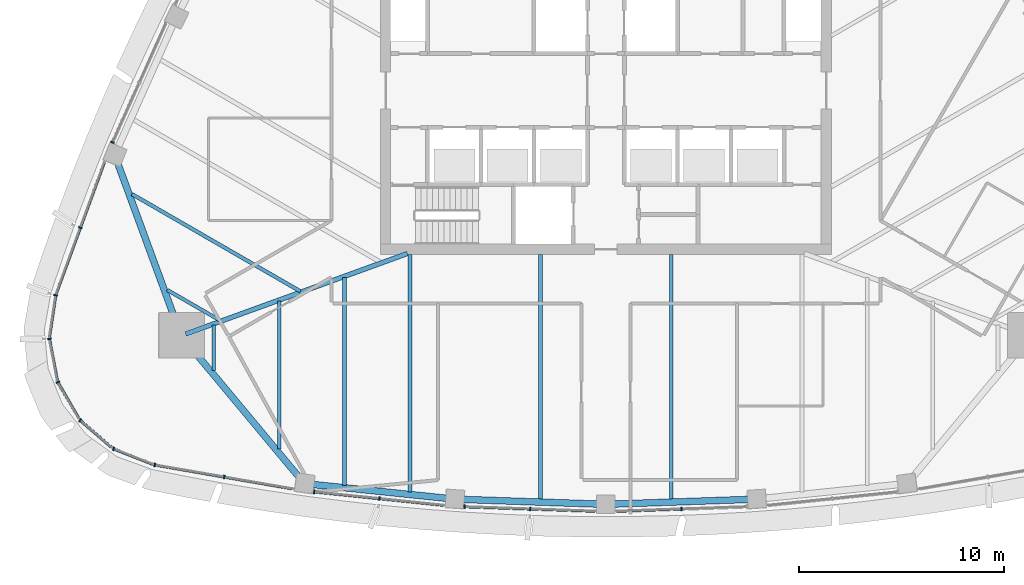
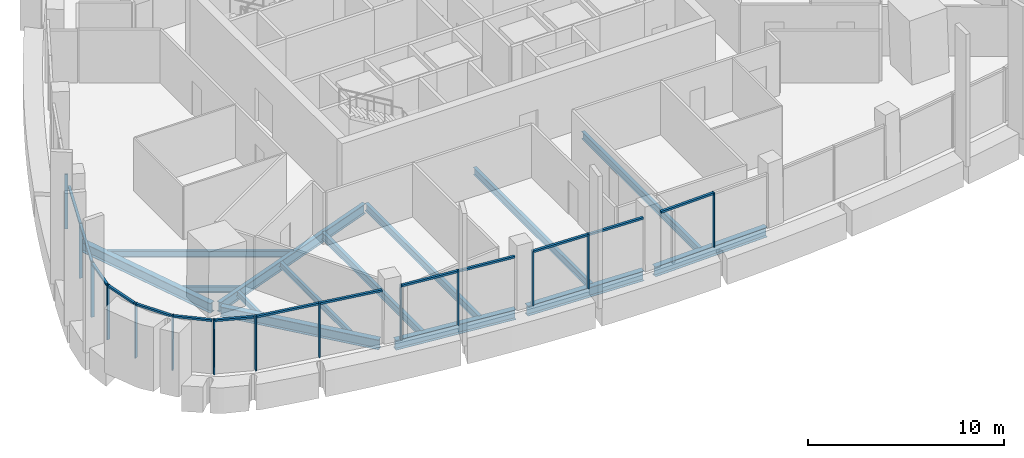
# One storey, part 2 of 18: 28 members, 14 beams, 11 elements without a shape of their own.
"""IFC4 building model written with IfcOpenShell, lengths in metres."""

from ifc_helpers import new_model, si_unit, direction, frame, origin, origin_2d, place, context, subcontext, project, spatial, rectangle, i_section, extrude, material, layer, layer_set, material_profile, profile_set, type_object, element, aggregate, save


model = new_model("IFC4")

# Units and contexts
model_context = context("Model", 3, precision=1e-05, world=origin(), true_north=direction((0.0, 1.0)))
body_context = subcontext(model_context, "Body", "Model", "MODEL_VIEW")
ifc_project = project(units=[si_unit("LENGTHUNIT", "METRE"), si_unit("AREAUNIT", "SQUARE_METRE"), si_unit("VOLUMEUNIT", "CUBIC_METRE"), si_unit("PLANEANGLEUNIT", "RADIAN"), si_unit("MASSUNIT", "GRAM", prefix="KILO")], contexts=[model_context])

# Site, building, storey
site_placement = place(None, origin())
site = spatial("IfcSite", under=ifc_project, at=site_placement, CompositionType="ELEMENT")
building_placement = place(site_placement, origin())
building = spatial("IfcBuilding", under=site, at=building_placement, Name="Sierra Prisma Convention Tower", CompositionType="ELEMENT")
storey_placement = place(building_placement, frame((0.0, 0.0, 287.0)))
storey = spatial("IfcBuildingStorey", under=building, at=storey_placement, Name="L65", CompositionType="ELEMENT", Elevation=287.0)

# Curtain wall, members
ifc_material_1 = material(Name="Aluminium and glass curtain wall", Category="aluminium")
ifc_layer = layer(ifc_material_1, 0.179931640625)
ifc_layer_set = layer_set([ifc_layer], Name="CW-1 Plain shaft curtain wall")
curtain_wall_type = type_object("IfcCurtainWallType", Name="CW-1 Plain shaft curtain wall", PredefinedType="NOTDEFINED", material=ifc_layer_set)
curtain_wall_1_placement = place(storey_placement, origin())
curtain_wall_1 = element("IfcCurtainWall", 1, at=curtain_wall_1_placement, inside=storey, type_object=curtain_wall_type, Name="CW-1 S1 L65", PredefinedType="NOTDEFINED")
ifc_material_2 = material(Name="Aluminium 6063-T6 bronze anodised", Category="aluminium")
ifc_material_profile_1 = material_profile(ifc_material_2, rectangle(XDim=0.179931640625, YDim=0.070068359375, at=origin_2d()), Name="ALU MULLION 70x180")
ifc_profile_set_1 = profile_set([ifc_material_profile_1], Name="Aluminium 6063-T6 bronze anodised")
member_type_1 = type_object("IfcMemberType", Name="CW mullion bronze", PredefinedType="MULLION", material=ifc_profile_set_1)
member_1_placement = place(storey_placement, frame((-22.017333984375, -18.275390625, 0.0), z_axis=(0.0, 0.0, 1.0), x_axis=(0.171115937493, 0.985250899992, 0.0)))
member_1 = element("IfcMember", 2, at=member_1_placement, type_object=member_type_1, Name="CW-1 mullion S1.1", PredefinedType="MULLION", context=body_context, shape_type="SweptSolid", body=[
    extrude(rectangle(XDim=0.179931640625, YDim=0.070068359375, at=origin_2d()), origin(), (0.0, 0.0, 1.0), 3.39990234375),
])
member_2_placement = place(storey_placement, frame((-18.627197265625, -18.8642578125, 0.0), z_axis=(0.0, 0.0, 1.0), x_axis=(0.171115937493, 0.985250899992, 0.0)))
member_2 = element("IfcMember", 3, at=member_2_placement, type_object=member_type_1, Name="CW-1 mullion S1.2", PredefinedType="MULLION", context=body_context, shape_type="SweptSolid", body=[
    extrude(rectangle(XDim=0.179931640625, YDim=0.070068359375, at=origin_2d()), origin(), (0.0, 0.0, 1.0), 3.39990234375),
])

curtain_wall_2_placement = place(storey_placement, origin())
curtain_wall_2 = element("IfcCurtainWall", 4, at=curtain_wall_2_placement, inside=storey, type_object=curtain_wall_type, Name="CW-1 S2 L65", PredefinedType="NOTDEFINED")
member_3_placement = place(storey_placement, frame((-14.2333984375, -19.590576171875, 0.0), z_axis=(0.0, 0.0, 1.0), x_axis=(0.1029943546, 0.994681940582, 0.0)))
member_3 = element("IfcMember", 5, at=member_3_placement, type_object=member_type_1, Name="CW-1 mullion S2.1", PredefinedType="MULLION", context=body_context, shape_type="SweptSolid", body=[
    extrude(rectangle(XDim=0.179931640625, YDim=0.070068359375, at=origin_2d()), origin(), (0.0, 0.0, 1.0), 3.39990234375),
])
member_4_placement = place(storey_placement, frame((-11.056640625, -19.91943359375, 0.0), z_axis=(0.0, 0.0, 1.0), x_axis=(0.1029943546, 0.994681940582, 0.0)))
member_4 = element("IfcMember", 6, at=member_4_placement, type_object=member_type_1, Name="CW-1 mullion S2.2", PredefinedType="MULLION", context=body_context, shape_type="SweptSolid", body=[
    extrude(rectangle(XDim=0.179931640625, YDim=0.070068359375, at=origin_2d()), origin(), (0.0, 0.0, 1.0), 3.39990234375),
])

curtain_wall_3_placement = place(storey_placement, origin())
curtain_wall_3 = element("IfcCurtainWall", 7, at=curtain_wall_3_placement, inside=storey, type_object=curtain_wall_type, Name="CW-1 S3 L65", PredefinedType="NOTDEFINED")
member_5_placement = place(storey_placement, frame((-6.900390625, -20.3154296875, 0.0), z_axis=(0.0, 0.0, 1.0), x_axis=(0.034385660465, 0.999408638323, 0.0)))
member_5 = element("IfcMember", 8, at=member_5_placement, type_object=member_type_1, Name="CW-1 mullion S3.1", PredefinedType="MULLION", context=body_context, shape_type="SweptSolid", body=[
    extrude(rectangle(XDim=0.179931640625, YDim=0.070068359375, at=origin_2d()), origin(), (0.0, 0.0, 1.0), 3.39990234375),
])
member_6_placement = place(storey_placement, frame((-3.692626953125, -20.42578125, 0.0), z_axis=(0.0, 0.0, 1.0), x_axis=(0.034385660465, 0.999408638323, 0.0)))
member_6 = element("IfcMember", 9, at=member_6_placement, type_object=member_type_1, Name="CW-1 mullion S3.2", PredefinedType="MULLION", context=body_context, shape_type="SweptSolid", body=[
    extrude(rectangle(XDim=0.179931640625, YDim=0.070068359375, at=origin_2d()), origin(), (0.0, 0.0, 1.0), 3.39990234375),
])

# Curtain wall, member
curtain_wall_4_placement = place(storey_placement, origin())
curtain_wall_4 = element("IfcCurtainWall", 10, at=curtain_wall_4_placement, inside=storey, type_object=curtain_wall_type, Name="CW-1 S4 L65", PredefinedType="NOTDEFINED")
member_7_placement = place(storey_placement, frame((3.692626953125, -20.42578125, 0.0), z_axis=(0.0, 0.0, 1.0), x_axis=(-0.034385660465, 0.999408638323, 0.0)))
member_7 = element("IfcMember", 11, at=member_7_placement, type_object=member_type_1, Name="CW-1 mullion S4.2", PredefinedType="MULLION", context=body_context, shape_type="SweptSolid", body=[
    extrude(rectangle(XDim=0.179931640625, YDim=0.070068359375, at=origin_2d()), origin(), (0.0, 0.0, 1.0), 3.39990234375),
])

curtain_wall_5_placement = place(storey_placement, origin())
curtain_wall_5 = element("IfcCurtainWall", 12, at=curtain_wall_5_placement, inside=storey, type_object=curtain_wall_type, Name="CW-1 NW5 L65", PredefinedType="NOTDEFINED")
member_8_placement = place(storey_placement, frame((-24.08251953125, -2.53125, 0.0), z_axis=(0.0, 0.0, 1.0), x_axis=(0.91291700653, -0.408145242761, 0.0)))
member_8 = element("IfcMember", 13, at=member_8_placement, type_object=member_type_1, Name="CW-1 mullion NW5.3", PredefinedType="MULLION", context=body_context, shape_type="SweptSolid", body=[
    extrude(rectangle(XDim=0.179931640625, YDim=0.070068359375, at=origin_2d()), origin(), (0.0, 0.0, 1.0), 3.39990234375),
])
aggregate(curtain_wall_5, [member_8])

curtain_wall_6_placement = place(storey_placement, origin())
curtain_wall_6 = element("IfcCurtainWall", 14, at=curtain_wall_6_placement, inside=storey, type_object=curtain_wall_type, Name="CW-1 NW6 L65", PredefinedType="NOTDEFINED")
member_9_placement = place(storey_placement, frame((-25.650634765625, -6.69970703125, 0.0), z_axis=(0.0, 0.0, 1.0), x_axis=(0.938810277241, -0.344434701135, 0.0)))
member_9 = element("IfcMember", 15, at=member_9_placement, type_object=member_type_1, Name="CW-1 mullion NW6.2", PredefinedType="MULLION", context=body_context, shape_type="SweptSolid", body=[
    extrude(rectangle(XDim=0.179931640625, YDim=0.070068359375, at=origin_2d()), origin(), (0.0, 0.0, 1.0), 3.39990234375),
])

curtain_wall_7_placement = place(storey_placement, origin())
curtain_wall_7 = element("IfcCurtainWall", 16, at=curtain_wall_7_placement, inside=storey, type_object=curtain_wall_type, Name="CW-1 SW1 L65", PredefinedType="NOTDEFINED")
member_10_placement = place(storey_placement, frame((-26.85302734375, -9.997314453125, 0.0), z_axis=(0.0, 0.0, 1.0), x_axis=(0.988908803128, -0.148524001749, 0.0)))
member_10 = element("IfcMember", 17, at=member_10_placement, type_object=member_type_1, Name="CW-1 mullion SW1.1", PredefinedType="MULLION", context=body_context, shape_type="SweptSolid", body=[
    extrude(rectangle(XDim=0.179931640625, YDim=0.070068359375, at=origin_2d()), origin(), (0.0, 0.0, 1.0), 3.39990234375),
])

curtain_wall_8_placement = place(storey_placement, origin())
curtain_wall_8 = element("IfcCurtainWall", 18, at=curtain_wall_8_placement, inside=storey, type_object=curtain_wall_type, Name="CW-1 SW2 L65", PredefinedType="NOTDEFINED")
member_11_placement = place(storey_placement, frame((-27.1611328125, -12.127685546875, 0.0), z_axis=(0.0, 0.0, 1.0), x_axis=(0.982517721573, 0.186169081201, 0.0)))
member_11 = element("IfcMember", 19, at=member_11_placement, type_object=member_type_1, Name="CW-1 mullion SW2.1", PredefinedType="MULLION", context=body_context, shape_type="SweptSolid", body=[
    extrude(rectangle(XDim=0.179931640625, YDim=0.070068359375, at=origin_2d()), origin(), (0.0, 0.0, 1.0), 3.39990234375),
])

curtain_wall_9_placement = place(storey_placement, origin())
curtain_wall_9 = element("IfcCurtainWall", 20, at=curtain_wall_9_placement, inside=storey, type_object=curtain_wall_type, Name="CW-1 SW3 L65", PredefinedType="NOTDEFINED")
member_12_placement = place(storey_placement, frame((-26.749267578125, -14.240234375, 0.0), z_axis=(0.0, 0.0, 1.0), x_axis=(0.866025403784, 0.5, 0.0)))
member_12 = element("IfcMember", 21, at=member_12_placement, type_object=member_type_1, Name="CW-1 mullion SW3.1", PredefinedType="MULLION", context=body_context, shape_type="SweptSolid", body=[
    extrude(rectangle(XDim=0.179931640625, YDim=0.070068359375, at=origin_2d()), origin(), (0.0, 0.0, 1.0), 3.39990234375),
])

curtain_wall_10_placement = place(storey_placement, origin())
curtain_wall_10 = element("IfcCurtainWall", 22, at=curtain_wall_10_placement, inside=storey, type_object=curtain_wall_type, Name="CW-1 SW4 L65", PredefinedType="NOTDEFINED")
member_13_placement = place(storey_placement, frame((-25.662841796875, -16.098388671875, 0.0), z_axis=(0.0, 0.0, 1.0), x_axis=(0.652486014506, 0.75780076595, 0.0)))
member_13 = element("IfcMember", 23, at=member_13_placement, type_object=member_type_1, Name="CW-1 mullion SW4.1", PredefinedType="MULLION", context=body_context, shape_type="SweptSolid", body=[
    extrude(rectangle(XDim=0.179931640625, YDim=0.070068359375, at=origin_2d()), origin(), (0.0, 0.0, 1.0), 3.39990234375),
])

curtain_wall_11_placement = place(storey_placement, origin())
curtain_wall_11 = element("IfcCurtainWall", 24, at=curtain_wall_11_placement, inside=storey, type_object=curtain_wall_type, Name="CW-1 SW5 L65", PredefinedType="NOTDEFINED")
member_14_placement = place(storey_placement, frame((-24.0244140625, -17.494140625, 0.0), z_axis=(0.0, 0.0, 1.0), x_axis=(0.365828842978, 0.930682146409, 0.0)))
member_14 = element("IfcMember", 25, at=member_14_placement, type_object=member_type_1, Name="CW-1 mullion SW5.1", PredefinedType="MULLION", context=body_context, shape_type="SweptSolid", body=[
    extrude(rectangle(XDim=0.179931640625, YDim=0.070068359375, at=origin_2d()), origin(), (0.0, 0.0, 1.0), 3.39990234375),
])

# Member
ifc_material_3 = material(Name="Aluminium 6063-T6 bronze anodised", Category="aluminium")
ifc_material_profile_2 = material_profile(ifc_material_3, rectangle(XDim=0.139892578125, YDim=0.1201171875, at=origin_2d()), Name="ALU TRANSOM 120x140")
ifc_profile_set_2 = profile_set([ifc_material_profile_2], Name="Aluminium 6063-T6 bronze anodised")
member_type_2 = type_object("IfcMemberType", Name="CW transom bronze", PredefinedType="USERDEFINED", material=ifc_profile_set_2)
member_15_placement = place(storey_placement, frame((-21.98291015625, -18.281494140625, 3.340087890625), z_axis=(0.98525743667, -0.171078296362, 0.0), x_axis=(0.171078296362, 0.98525743667, 0.0)))
member_15 = element("IfcMember", 26, at=member_15_placement, type_object=member_type_2, Name="CW-1 transom S1.1", ObjectType="TRANSOM", PredefinedType="USERDEFINED", context=body_context, shape_type="SweptSolid", body=[
    extrude(rectangle(XDim=0.139892578125, YDim=0.1201171875, at=origin_2d()), origin(), (0.0, 0.0, 1.0), 3.370849609375),
])

member_16_placement = place(storey_placement, frame((-18.5927734375, -18.870361328125, 3.340087890625), z_axis=(0.98525743667, -0.171078296362, 0.0), x_axis=(0.171078296362, 0.98525743667, 0.0)))
member_16 = element("IfcMember", 27, at=member_16_placement, type_object=member_type_2, Name="CW-1 transom S1.2", ObjectType="TRANSOM", PredefinedType="USERDEFINED", context=body_context, shape_type="SweptSolid", body=[
    extrude(rectangle(XDim=0.139892578125, YDim=0.1201171875, at=origin_2d()), origin(), (0.0, 0.0, 1.0), 3.370849609375),
])

aggregate(curtain_wall_1, [member_1, member_2, member_15, member_16])

member_17_placement = place(storey_placement, frame((-14.19873046875, -19.593994140625, 3.340087890625), z_axis=(0.994681307498, -0.103000468517, 0.0), x_axis=(0.103000468517, 0.994681307498, 0.0)))
member_17 = element("IfcMember", 28, at=member_17_placement, type_object=member_type_2, Name="CW-1 transom S2.1", ObjectType="TRANSOM", PredefinedType="USERDEFINED", context=body_context, shape_type="SweptSolid", body=[
    extrude(rectangle(XDim=0.139892578125, YDim=0.1201171875, at=origin_2d()), origin(), (0.0, 0.0, 1.0), 3.1240234375),
])

member_18_placement = place(storey_placement, frame((-11.021728515625, -19.923095703125, 3.340087890625), z_axis=(0.99468047831, -0.103008475714, 0.0), x_axis=(0.103008475714, 0.99468047831, 0.0)))
member_18 = element("IfcMember", 29, at=member_18_placement, type_object=member_type_2, Name="CW-1 transom S2.2", ObjectType="TRANSOM", PredefinedType="USERDEFINED", context=body_context, shape_type="SweptSolid", body=[
    extrude(rectangle(XDim=0.139892578125, YDim=0.1201171875, at=origin_2d()), origin(), (0.0, 0.0, 1.0), 3.123779296875),
])

aggregate(curtain_wall_2, [member_3, member_4, member_17, member_18])

member_19_placement = place(storey_placement, frame((-6.865478515625, -20.316650390625, 3.340087890625), z_axis=(0.999409227133, -0.034368542628, 0.0), x_axis=(0.034368542628, 0.999409227133, 0.0)))
member_19 = element("IfcMember", 30, at=member_19_placement, type_object=member_type_2, Name="CW-1 transom S3.1", ObjectType="TRANSOM", PredefinedType="USERDEFINED", context=body_context, shape_type="SweptSolid", body=[
    extrude(rectangle(XDim=0.139892578125, YDim=0.1201171875, at=origin_2d()), origin(), (0.0, 0.0, 1.0), 3.139892578125),
])

member_20_placement = place(storey_placement, frame((-3.657470703125, -20.427001953125, 3.340087890625), z_axis=(0.999409135276, -0.034371213647, 0.0), x_axis=(0.034371213647, 0.999409135276, 0.0)))
member_20 = element("IfcMember", 31, at=member_20_placement, type_object=member_type_2, Name="CW-1 transom S3.2", ObjectType="TRANSOM", PredefinedType="USERDEFINED", context=body_context, shape_type="SweptSolid", body=[
    extrude(rectangle(XDim=0.139892578125, YDim=0.1201171875, at=origin_2d()), origin(), (0.0, 0.0, 1.0), 3.1396484375),
])

aggregate(curtain_wall_3, [member_5, member_6, member_19, member_20])

member_21_placement = place(storey_placement, frame((0.519775390625, -20.534912109375, 3.340087890625), z_axis=(0.999409135276, 0.034371213647, 0.0), x_axis=(-0.034371213647, 0.999409135276, 0.0)))
member_21 = element("IfcMember", 32, at=member_21_placement, type_object=member_type_2, Name="CW-1 transom S4.1", ObjectType="TRANSOM", PredefinedType="USERDEFINED", context=body_context, shape_type="SweptSolid", body=[
    extrude(rectangle(XDim=0.139892578125, YDim=0.1201171875, at=origin_2d()), origin(), (0.0, 0.0, 1.0), 3.1396484375),
])

aggregate(curtain_wall_4, [member_7, member_21])

member_22_placement = place(storey_placement, frame((-24.4775390625, -3.502197265625, 3.340087890625), z_axis=(-0.344399360966, -0.938823242238, 0.0), x_axis=(0.938823242238, -0.344399360966, 0.0)))
member_22 = element("IfcMember", 33, at=member_22_placement, type_object=member_type_2, Name="CW-1 transom NW6.1", ObjectType="TRANSOM", PredefinedType="USERDEFINED", context=body_context, shape_type="SweptSolid", body=[
    extrude(rectangle(XDim=0.139892578125, YDim=0.1201171875, at=origin_2d()), origin(), (0.0, 0.0, 1.0), 3.370849609375),
])

member_23_placement = place(storey_placement, frame((-25.66259765625, -6.732421875, 3.340087890625), z_axis=(-0.344463196608, -0.938799822211, 0.0), x_axis=(0.938799822211, -0.344463196608, 0.0)))
member_23 = element("IfcMember", 34, at=member_23_placement, type_object=member_type_2, Name="CW-1 transom NW6.2", ObjectType="TRANSOM", PredefinedType="USERDEFINED", context=body_context, shape_type="SweptSolid", body=[
    extrude(rectangle(XDim=0.139892578125, YDim=0.1201171875, at=origin_2d()), origin(), (0.0, 0.0, 1.0), 3.370849609375),
])

aggregate(curtain_wall_6, [member_9, member_22, member_23])

member_24_placement = place(storey_placement, frame((-26.858154296875, -10.031982421875, 3.340087890625), z_axis=(-0.148595301004, -0.98889809208, 0.0), x_axis=(0.98889809208, -0.148595301004, 0.0)))
member_24 = element("IfcMember", 35, at=member_24_placement, type_object=member_type_2, Name="CW-1 transom SW1.1", ObjectType="TRANSOM", PredefinedType="USERDEFINED", context=body_context, shape_type="SweptSolid", body=[
    extrude(rectangle(XDim=0.139892578125, YDim=0.1201171875, at=origin_2d()), origin(), (0.0, 0.0, 1.0), 2.014404296875),
])

aggregate(curtain_wall_7, [member_10, member_24])

member_25_placement = place(storey_placement, frame((-27.15478515625, -12.161865234375, 3.340087890625), z_axis=(0.186154134727, -0.982520553538, 0.0), x_axis=(0.982520553538, 0.186154134727, 0.0)))
member_25 = element("IfcMember", 36, at=member_25_placement, type_object=member_type_2, Name="CW-1 transom SW2.1", ObjectType="TRANSOM", PredefinedType="USERDEFINED", context=body_context, shape_type="SweptSolid", body=[
    extrude(rectangle(XDim=0.139892578125, YDim=0.1201171875, at=origin_2d()), origin(), (0.0, 0.0, 1.0), 2.014404296875),
])

aggregate(curtain_wall_8, [member_11, member_25])

member_26_placement = place(storey_placement, frame((-26.731689453125, -14.2705078125, 3.340087890625), z_axis=(0.500023174947, -0.866012023309, 0.0), x_axis=(0.866012023309, 0.500023174947, 0.0)))
member_26 = element("IfcMember", 37, at=member_26_placement, type_object=member_type_2, Name="CW-1 transom SW3.1", ObjectType="TRANSOM", PredefinedType="USERDEFINED", context=body_context, shape_type="SweptSolid", body=[
    extrude(rectangle(XDim=0.139892578125, YDim=0.1201171875, at=origin_2d()), origin(), (0.0, 0.0, 1.0), 2.0146484375),
])

aggregate(curtain_wall_9, [member_12, member_26])

member_27_placement = place(storey_placement, frame((-25.636474609375, -16.121337890625, 3.340087890625), z_axis=(0.757800427892, -0.652486407128, 0.0), x_axis=(0.652486407128, 0.757800427892, 0.0)))
member_27 = element("IfcMember", 38, at=member_27_placement, type_object=member_type_2, Name="CW-1 transom SW4.1", ObjectType="TRANSOM", PredefinedType="USERDEFINED", context=body_context, shape_type="SweptSolid", body=[
    extrude(rectangle(XDim=0.139892578125, YDim=0.1201171875, at=origin_2d()), origin(), (0.0, 0.0, 1.0), 2.0146484375),
])

aggregate(curtain_wall_10, [member_13, member_27])

member_28_placement = place(storey_placement, frame((-23.99169921875, -17.507080078125, 3.340087890625), z_axis=(0.930699923682, -0.365783613709, 0.0), x_axis=(0.365783613709, 0.930699923682, 0.0)))
member_28 = element("IfcMember", 39, at=member_28_placement, type_object=member_type_2, Name="CW-1 transom SW5.1", ObjectType="TRANSOM", PredefinedType="USERDEFINED", context=body_context, shape_type="SweptSolid", body=[
    extrude(rectangle(XDim=0.139892578125, YDim=0.1201171875, at=origin_2d()), origin(), (0.0, 0.0, 1.0), 2.014404296875),
])

aggregate(curtain_wall_11, [member_14, member_28])

# Beams
ifc_material_4 = material(Name="Steel ASTM A992 Gr 50", Category="steel")
ifc_material_profile_3 = material_profile(ifc_material_4, i_section(OverallWidth=0.172119140625, OverallDepth=0.35791015625, WebThickness=0.0078125, FlangeThickness=0.01318359375, at=origin_2d()), Name="W360x57")
ifc_profile_set_3 = profile_set([ifc_material_profile_3], Name="Steel ASTM A992 Gr 50")
beam_type_1 = type_object("IfcBeamType", Name="Floor joist W360x57", PredefinedType="JOIST", material=ifc_profile_set_3)
beam_1_placement = place(storey_placement, frame((-19.138427734375, -13.678466796875, -0.3291015625), z_axis=(0.0, 1.0, 0.0), x_axis=(-1.0, 0.0, 0.0)))
element("IfcBeam", 40, at=beam_1_placement, inside=storey, type_object=beam_type_1, Name="Floor joist L65 S01", PredefinedType="JOIST", context=body_context, shape_type="SweptSolid", body=[
    extrude(i_section(OverallWidth=0.172119140625, OverallDepth=0.35791015625, WebThickness=0.0078125, FlangeThickness=0.01318359375, at=origin_2d()), origin(), (0.0, 0.0, 1.0), 2.23828125),
])
beam_2_placement = place(storey_placement, frame((-15.94873046875, -17.50244140625, -0.3291015625), z_axis=(0.0, 1.0, 0.0), x_axis=(-1.0, 0.0, 0.0)))
element("IfcBeam", 41, at=beam_2_placement, inside=storey, type_object=beam_type_1, Name="Floor joist L65 S02", PredefinedType="JOIST", context=body_context, shape_type="SweptSolid", body=[
    extrude(i_section(OverallWidth=0.172119140625, OverallDepth=0.35791015625, WebThickness=0.0078125, FlangeThickness=0.01318359375, at=origin_2d()), origin(), (0.0, 0.0, 1.0), 7.220703125),
])
beam_3_placement = place(storey_placement, frame((-21.415283203125, -9.735107421875, -0.3291015625), z_axis=(0.866042744086, -0.499969964513, 0.0), x_axis=(0.499969964513, 0.866042744086, 0.0)))
element("IfcBeam", 42, at=beam_3_placement, inside=storey, type_object=beam_type_1, Name="Floor joist L65 NW13", PredefinedType="JOIST", context=body_context, shape_type="SweptSolid", body=[
    extrude(i_section(OverallWidth=0.172119140625, OverallDepth=0.35791015625, WebThickness=0.0078125, FlangeThickness=0.01318359375, at=origin_2d()), origin(), (0.0, 0.0, 1.0), 2.988525390625),
])
ifc_material_5 = material(Name="Steel ASTM A992 Gr 50", Category="steel")
ifc_material_profile_4 = material_profile(ifc_material_5, i_section(OverallWidth=0.177978515625, OverallDepth=0.406982421875, WebThickness=0.0078125, FlangeThickness=0.0126953125, at=origin_2d()), Name="W410x60")
ifc_profile_set_4 = profile_set([ifc_material_profile_4], Name="Steel ASTM A992 Gr 50")
beam_type_2 = type_object("IfcBeamType", Name="Floor joist W410x60", PredefinedType="JOIST", material=ifc_profile_set_4)
beam_4_placement = place(storey_placement, frame((-23.1318359375, -5.060546875, -0.353515625), z_axis=(0.866015554752, -0.500017058637, 0.0), x_axis=(0.500017058637, 0.866015554752, 0.0)))
element("IfcBeam", 43, at=beam_4_placement, inside=storey, type_object=beam_type_2, Name="Floor joist L65 NW12", PredefinedType="JOIST", context=body_context, shape_type="SweptSolid", body=[
    extrude(i_section(OverallWidth=0.177978515625, OverallDepth=0.406982421875, WebThickness=0.0078125, FlangeThickness=0.0126953125, at=origin_2d()), origin(), (0.0, 0.0, 1.0), 9.492919921875),
])
ifc_material_6 = material(Name="Steel ASTM A992 Gr 50", Category="steel")
ifc_material_profile_5 = material_profile(ifc_material_6, i_section(OverallWidth=0.18994140625, OverallDepth=0.45703125, WebThickness=0.009033203125, FlangeThickness=0.014404296875, at=origin_2d()), Name="W460x74")
ifc_profile_set_5 = profile_set([ifc_material_profile_5], Name="Steel ASTM A992 Gr 50")
beam_type_3 = type_object("IfcBeamType", Name="Floor joist W460x74", PredefinedType="JOIST", material=ifc_profile_set_5)
beam_5_placement = place(storey_placement, frame((-12.7587890625, -19.278076171875, -0.37841796875), z_axis=(0.0, 1.0, 0.0), x_axis=(-1.0, 0.0, 0.0)))
element("IfcBeam", 44, at=beam_5_placement, inside=storey, type_object=beam_type_3, Name="Floor joist L65 S03", PredefinedType="JOIST", context=body_context, shape_type="SweptSolid", body=[
    extrude(i_section(OverallWidth=0.18994140625, OverallDepth=0.45703125, WebThickness=0.009033203125, FlangeThickness=0.014404296875, at=origin_2d()), origin(), (0.0, 0.0, 1.0), 10.154541015625),
])
beam_6_placement = place(storey_placement, frame((-9.569091796875, -19.6083984375, -0.37841796875), z_axis=(0.0, 1.0, 0.0), x_axis=(-1.0, 0.0, 0.0)))
element("IfcBeam", 45, at=beam_6_placement, inside=storey, type_object=beam_type_3, Name="Floor joist L65 S04", PredefinedType="JOIST", context=body_context, shape_type="SweptSolid", body=[
    extrude(i_section(OverallWidth=0.18994140625, OverallDepth=0.45703125, WebThickness=0.009033203125, FlangeThickness=0.014404296875, at=origin_2d()), origin(), (0.0, 0.0, 1.0), 11.6083984375),
])
for number, where, z_axis, x_axis, name in (
    (46, (-3.189697265625, -19.98046875, -0.37841796875), (0.0, 1.0, 0.0), (-1.0, 0.0, 0.0), "Floor joist L65 S06"),
    (47, (3.189697265625, -19.98046875, -0.37841796875), (0.0, 1.0, 0.0), (-1.0, 0.0, 0.0), "Floor joist L65 S08"),
):
    element("IfcBeam", number, at=place(storey_placement, frame(where, z_axis=z_axis, x_axis=x_axis)), inside=storey, type_object=beam_type_3, Name=name, PredefinedType="JOIST", context=body_context, shape_type="SweptSolid", body=[
        extrude(i_section(OverallWidth=0.18994140625, OverallDepth=0.45703125, WebThickness=0.009033203125, FlangeThickness=0.014404296875, at=origin_2d()), origin(), (0.0, 0.0, 1.0), 11.98046875),
    ])
ifc_material_7 = material(Name="Steel ASTM A992 Gr 50", Category="steel")
ifc_material_profile_6 = material_profile(ifc_material_7, i_section(OverallWidth=0.22998046875, OverallDepth=0.616943359375, WebThickness=0.01318359375, FlangeThickness=0.022216796875, at=origin_2d()), Name="W610x140")
ifc_profile_set_6 = profile_set([ifc_material_profile_6], Name="Steel ASTM A992 Gr 50")
beam_type_4 = type_object("IfcBeamType", Name="Radial girder W610x140", PredefinedType="BEAM", material=ifc_profile_set_6)
beam_7_placement = place(storey_placement, frame((-20.51318359375, -11.890380859375, -0.45849609375), z_axis=(0.939941250713, 0.341336264128, 0.0), x_axis=(-0.341336264128, 0.939941250713, 0.0)))
element("IfcBeam", 48, at=beam_7_placement, inside=storey, type_object=beam_type_4, Name="Radial girder L65 SW", PredefinedType="BEAM", context=body_context, shape_type="SweptSolid", body=[
    extrude(i_section(OverallWidth=0.22998046875, OverallDepth=0.616943359375, WebThickness=0.01318359375, FlangeThickness=0.022216796875, at=origin_2d()), origin(), (0.0, 0.0, 1.0), 11.517578125),
])
ifc_material_8 = material(Name="Steel ASTM A992 Gr 50", Category="steel")
ifc_material_profile_7 = material_profile(ifc_material_8, i_section(OverallWidth=0.324951171875, OverallDepth=0.615966796875, WebThickness=0.013916015625, FlangeThickness=0.021484375, at=origin_2d()), Name="W610x174")
ifc_profile_set_7 = profile_set([ifc_material_profile_7], Name="Steel ASTM A992 Gr 50")
beam_type_5 = type_object("IfcBeamType", Name="Spandrel beam W610x174", PredefinedType="BEAM", material=ifc_profile_set_7)
beam_8_placement = place(storey_placement, frame((-20.5498046875, -12.1904296875, -0.4580078125), z_axis=(0.640568490061, -0.767901041503, 0.0), x_axis=(0.767901041503, 0.640568490061, 0.0)))
element("IfcBeam", 49, at=beam_8_placement, inside=storey, type_object=beam_type_5, Name="Spandrel L65-01", PredefinedType="BEAM", context=body_context, shape_type="SweptSolid", body=[
    extrude(i_section(OverallWidth=0.324951171875, OverallDepth=0.615966796875, WebThickness=0.013916015625, FlangeThickness=0.021484375, at=origin_2d()), origin(), (0.0, 0.0, 1.0), 8.626220703125),
])
for number, where, z_axis, x_axis, name in (
    (50, (-14.3828125, -19.223388671875, -0.4580078125), (0.994680498793, -0.103008277921, 0.0), (0.103008277921, 0.994680498793, 0.0), "Spandrel L65-02"),
    (51, (-7.04296875, -19.96044921875, -0.4580078125), (0.999407423041, -0.034420964126, 0.0), (0.034420964126, 0.999407423041, 0.0), "Spandrel L65-03"),
    (52, (0.330078125, -20.191650390625, -0.4580078125), (0.999407423041, 0.034420964126, 0.0), (-0.034420964126, 0.999407423041, 0.0), "Spandrel L65-04"),
):
    element("IfcBeam", number, at=place(storey_placement, frame(where, z_axis=z_axis, x_axis=x_axis)), inside=storey, type_object=beam_type_5, Name=name, PredefinedType="BEAM", context=body_context, shape_type="SweptSolid", body=[
        extrude(i_section(OverallWidth=0.324951171875, OverallDepth=0.615966796875, WebThickness=0.013916015625, FlangeThickness=0.021484375, at=origin_2d()), origin(), (0.0, 0.0, 1.0), 6.716796875),
    ])
beam_9_placement = place(storey_placement, frame((-23.805908203125, -3.604248046875, -0.4580078125), z_axis=(0.344770415543, -0.9386870408, 0.0), x_axis=(0.9386870408, 0.344770415543, 0.0)))
element("IfcBeam", 53, at=beam_9_placement, inside=storey, type_object=beam_type_5, Name="Spandrel L65-18", PredefinedType="BEAM", context=body_context, shape_type="SweptSolid", body=[
    extrude(i_section(OverallWidth=0.324951171875, OverallDepth=0.615966796875, WebThickness=0.013916015625, FlangeThickness=0.021484375, at=origin_2d()), origin(), (0.0, 0.0, 1.0), 8.677978515625),
])

save(model, "model.ifc")
